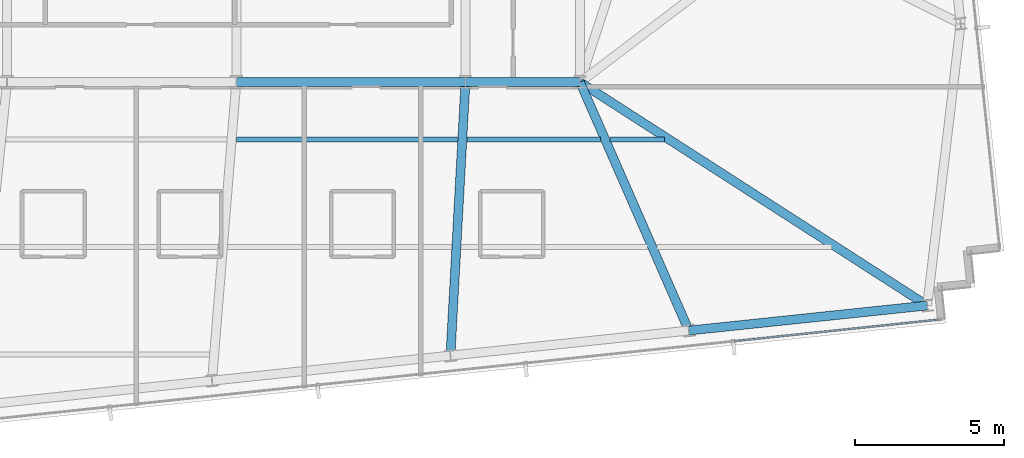
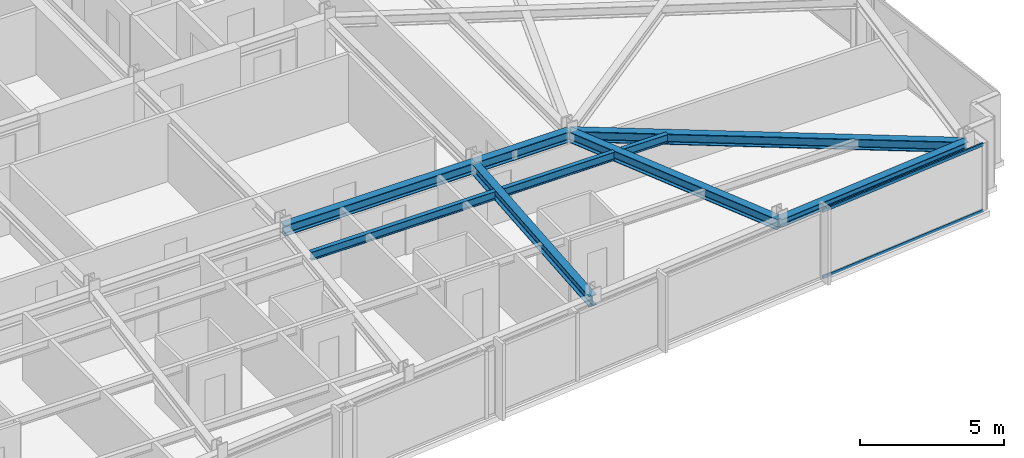
# One storey, part 16 of 33: 9 beams, 2 members, 1 element without a shape of its own.
"""IFC4 building model written with IfcOpenShell, lengths in metres."""

from ifc_helpers import new_model, si_unit, direction, frame, origin, origin_2d, place, context, subcontext, project, spatial, hollow_rectangle, i_section, extrude, material, material_profile, profile_set, type_object, element, aggregate, save


model = new_model("IFC4")

# Units and contexts
model_context = context("Model", 3, precision=1e-05, world=origin(), true_north=direction((0.0, 1.0)))
body_context = subcontext(model_context, "Body", "Model", "MODEL_VIEW")
ifc_project = project(units=[si_unit("LENGTHUNIT", "METRE"), si_unit("AREAUNIT", "SQUARE_METRE"), si_unit("VOLUMEUNIT", "CUBIC_METRE"), si_unit("PLANEANGLEUNIT", "RADIAN"), si_unit("MASSUNIT", "GRAM", prefix="KILO")], contexts=[model_context])

# Site, building, storey
site_placement = place(None, origin())
site = spatial("IfcSite", under=ifc_project, at=site_placement, CompositionType="ELEMENT")
building_placement = place(site_placement, origin())
building = spatial("IfcBuilding", under=site, at=building_placement, Name="Yelkora Congress Tower", CompositionType="ELEMENT")
storey_placement = place(building_placement, frame((0.0, 0.0, 244.10009765625)))
storey = spatial("IfcBuildingStorey", under=building, at=storey_placement, Name="L68", CompositionType="ELEMENT", Elevation=244.10009765625)

# Beams
ifc_material_1 = material(Name="Steel S355J2", Category="steel")
ifc_material_profile_1 = material_profile(ifc_material_1, i_section(OverallWidth=0.300048828125, OverallDepth=0.449951171875, WebThickness=0.013916015625, FlangeThickness=0.02587890625, FilletRadius=0.027099609375, at=origin_2d()), Name="HEB 450")
ifc_profile_set_1 = profile_set([ifc_material_profile_1], Name="Steel S355J2")
beam_type_1 = type_object("IfcBeamType", Name="BM-GIRD-HEB450", PredefinedType="BEAM", material=ifc_profile_set_1)
beam_1_placement = place(storey_placement, frame((46.080078125, 25.199951171875, 2.65478515625), z_axis=(1.0, 0.0, 0.0), x_axis=(0.0, 1.0, 0.0)))
element("IfcBeam", 1, at=beam_1_placement, inside=storey, type_object=beam_type_1, Name="L68 Spine Grid D Girder 5", PredefinedType="BEAM", context=body_context, shape_type="SweptSolid", body=[
    extrude(i_section(OverallWidth=0.300048828125, OverallDepth=0.449951171875, WebThickness=0.013916015625, FlangeThickness=0.02587890625, FilletRadius=0.027099609375, at=origin_2d()), origin(), (0.0, 0.0, 1.0), 7.679931640625),
])
beam_2_placement = place(storey_placement, frame((53.760009765625, 25.199951171875, 2.65478515625), z_axis=(1.0, 0.0, 0.0), x_axis=(0.0, 1.0, 0.0)))
element("IfcBeam", 2, at=beam_2_placement, inside=storey, type_object=beam_type_1, Name="L68 Spine Grid D Girder 6", PredefinedType="BEAM", context=body_context, shape_type="SweptSolid", body=[
    extrude(i_section(OverallWidth=0.300048828125, OverallDepth=0.449951171875, WebThickness=0.013916015625, FlangeThickness=0.02587890625, FilletRadius=0.027099609375, at=origin_2d()), origin(), (0.0, 0.0, 1.0), 3.840087890625),
])
beam_3_placement = place(storey_placement, frame((53.25634765625, 16.037353515625, 2.65478515625), z_axis=(0.054886497042, 0.998492600094, 0.0), x_axis=(-0.998492600094, 0.054886497042, 0.0)))
element("IfcBeam", 3, at=beam_3_placement, inside=storey, type_object=beam_type_1, Name="L68 Primary Frame Girder S05", PredefinedType="BEAM", context=body_context, shape_type="SweptSolid", body=[
    extrude(i_section(OverallWidth=0.300048828125, OverallDepth=0.449951171875, WebThickness=0.013916015625, FlangeThickness=0.02587890625, FilletRadius=0.027099609375, at=origin_2d()), origin(), (0.0, 0.0, 1.0), 9.176513671875),
])
beam_4_placement = place(storey_placement, frame((61.24560546875, 16.877197265625, 2.65478515625), z_axis=(-0.401216289608, 0.915983345347, 0.0), x_axis=(-0.915983345347, -0.401216289608, 0.0)))
element("IfcBeam", 4, at=beam_4_placement, inside=storey, type_object=beam_type_1, Name="L68 Primary Frame Girder S06", PredefinedType="BEAM", context=body_context, shape_type="SweptSolid", body=[
    extrude(i_section(OverallWidth=0.300048828125, OverallDepth=0.449951171875, WebThickness=0.013916015625, FlangeThickness=0.02587890625, FilletRadius=0.027099609375, at=origin_2d()), origin(), (0.0, 0.0, 1.0), 9.086181640625),
])
beam_5_placement = place(storey_placement, frame((69.235107421875, 17.716796875, 2.65478515625), z_axis=(-0.841063201017, 0.54093686498, 0.0), x_axis=(-0.54093686498, -0.841063201017, 0.0)))
element("IfcBeam", 5, at=beam_5_placement, inside=storey, type_object=beam_type_1, Name="L68 Primary Frame Girder S07", PredefinedType="BEAM", context=body_context, shape_type="SweptSolid", body=[
    extrude(i_section(OverallWidth=0.300048828125, OverallDepth=0.449951171875, WebThickness=0.013916015625, FlangeThickness=0.02587890625, FilletRadius=0.027099609375, at=origin_2d()), origin(), (0.0, 0.0, 1.0), 13.833740234375),
])
ifc_material_profile_2 = material_profile(ifc_material_1, i_section(OverallWidth=0.169921875, OverallDepth=0.360107421875, WebThickness=0.008056640625, FlangeThickness=0.0126953125, FilletRadius=0.01806640625, at=origin_2d()), Name="IPE 360")
ifc_profile_set_2 = profile_set([ifc_material_profile_2], Name="Steel S355J2")
beam_type_2 = type_object("IfcBeamType", Name="BM-JOIST-IPE360", PredefinedType="JOIST", material=ifc_profile_set_2)
beam_6_placement = place(storey_placement, frame((46.083740234375, 23.278564453125, 2.699951171875), z_axis=(1.0, 0.0, 0.0), x_axis=(0.0, 1.0, 0.0)))
element("IfcBeam", 6, at=beam_6_placement, inside=storey, type_object=beam_type_2, Name="L68 Composite Floor Joist 12", PredefinedType="JOIST", context=body_context, shape_type="SweptSolid", body=[
    extrude(i_section(OverallWidth=0.169921875, OverallDepth=0.360107421875, WebThickness=0.008056640625, FlangeThickness=0.0126953125, FilletRadius=0.01806640625, at=origin_2d()), origin(), (0.0, 0.0, 1.0), 7.41064453125),
])
beam_7_placement = place(storey_placement, frame((53.814453125, 23.278564453125, 2.699951171875), z_axis=(1.0, 0.0, 0.0), x_axis=(0.0, 1.0, 0.0)))
element("IfcBeam", 7, at=beam_7_placement, inside=storey, type_object=beam_type_2, Name="L68 Composite Floor Joist 13", PredefinedType="JOIST", context=body_context, shape_type="SweptSolid", body=[
    extrude(i_section(OverallWidth=0.169921875, OverallDepth=0.360107421875, WebThickness=0.008056640625, FlangeThickness=0.0126953125, FilletRadius=0.01806640625, at=origin_2d()), origin(), (0.0, 0.0, 1.0), 4.46728515625),
])
beam_8_placement = place(storey_placement, frame((58.601806640625, 23.278564453125, 2.699951171875), z_axis=(1.0, 0.0, 0.0), x_axis=(0.0, 1.0, 0.0)))
element("IfcBeam", 8, at=beam_8_placement, inside=storey, type_object=beam_type_2, Name="L68 Composite Floor Joist 14", PredefinedType="JOIST", context=body_context, shape_type="SweptSolid", body=[
    extrude(i_section(OverallWidth=0.169921875, OverallDepth=0.360107421875, WebThickness=0.008056640625, FlangeThickness=0.0126953125, FilletRadius=0.01806640625, at=origin_2d()), origin(), (0.0, 0.0, 1.0), 1.82568359375),
])
ifc_material_profile_3 = material_profile(ifc_material_1, i_section(OverallWidth=0.300048828125, OverallDepth=0.340087890625, WebThickness=0.011962890625, FlangeThickness=0.021484375, FilletRadius=0.027099609375, at=origin_2d()), Name="HEB 340")
ifc_profile_set_3 = profile_set([ifc_material_profile_3], Name="Steel S355J2")
beam_type_3 = type_object("IfcBeamType", Name="BM-SPAN-HEB340", PredefinedType="SPANDREL", material=ifc_profile_set_3)
beam_9_placement = place(storey_placement, frame((61.24560546875, 16.877197265625, 2.7099609375), z_axis=(0.99452358891, 0.104512349038, 0.0), x_axis=(-0.104512349038, 0.99452358891, 0.0)))
element("IfcBeam", 9, at=beam_9_placement, inside=storey, type_object=beam_type_3, Name="L68 Perimeter Beam 8", PredefinedType="SPANDREL", context=body_context, shape_type="SweptSolid", body=[
    extrude(i_section(OverallWidth=0.300048828125, OverallDepth=0.340087890625, WebThickness=0.011962890625, FlangeThickness=0.021484375, FilletRadius=0.027099609375, at=origin_2d()), origin(), (0.0, 0.0, 1.0), 8.033447265625),
])

# Curtain wall, members
ifc_material_2 = material(Name="Anodised aluminium and insulated glass", Category="aluminium")
curtain_wall_type = type_object("IfcCurtainWallType", Name="CW-SYS-B4", PredefinedType="NOTDEFINED", material=ifc_material_2)
curtain_wall_placement = place(storey_placement, origin())
curtain_wall = element("IfcCurtainWall", 10, at=curtain_wall_placement, inside=storey, type_object=curtain_wall_type, Name="L68 Unitised Curtain Wall 20", PredefinedType="NOTDEFINED")
ifc_material_3 = material(Name="Anodised aluminium 6063-T6", Category="aluminium")
ifc_material_profile_4 = material_profile(ifc_material_3, hollow_rectangle(XDim=0.06005859375, YDim=0.1298828125, WallThickness=0.00390625, at=origin_2d()), Name="ALU 60x130x4")
ifc_profile_set_4 = profile_set([ifc_material_profile_4], Name="Anodised aluminium 6063-T6")
member_type = type_object("IfcMemberType", Name="MEM-TR-B4", PredefinedType="USERDEFINED", material=ifc_profile_set_4)
member_1_placement = place(storey_placement, frame((69.63134765625, 17.24560546875, 0.02978515625), z_axis=(-0.994523648539, -0.104511781616, 0.0), x_axis=(0.104511781616, -0.994523648539, 0.0)))
member_1 = element("IfcMember", 11, at=member_1_placement, type_object=member_type, Name="CW-B4 transom 1.1", ObjectType="TRANSOM", PredefinedType="USERDEFINED", context=body_context, shape_type="SweptSolid", body=[
    extrude(hollow_rectangle(XDim=0.06005859375, YDim=0.1298828125, WallThickness=0.00390625, at=origin_2d()), origin(), (0.0, 0.0, 1.0), 6.9052734375),
])
member_2_placement = place(storey_placement, frame((69.63134765625, 17.24560546875, 2.849853515625), z_axis=(-0.994523648539, -0.104511781616, 0.0), x_axis=(0.104511781616, -0.994523648539, 0.0)))
member_2 = element("IfcMember", 12, at=member_2_placement, type_object=member_type, Name="CW-B4 transom 1.2", ObjectType="TRANSOM", PredefinedType="USERDEFINED", context=body_context, shape_type="SweptSolid", body=[
    extrude(hollow_rectangle(XDim=0.06005859375, YDim=0.1298828125, WallThickness=0.00390625, at=origin_2d()), origin(), (0.0, 0.0, 1.0), 6.9052734375),
])
aggregate(curtain_wall, [member_1, member_2])

save(model, "model.ifc")
